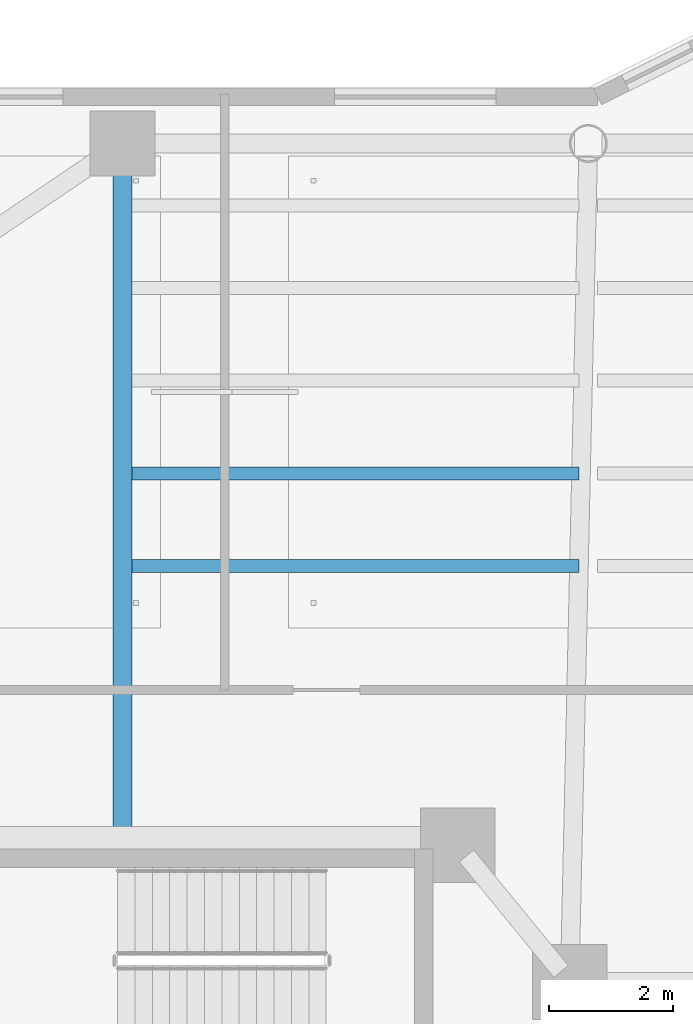
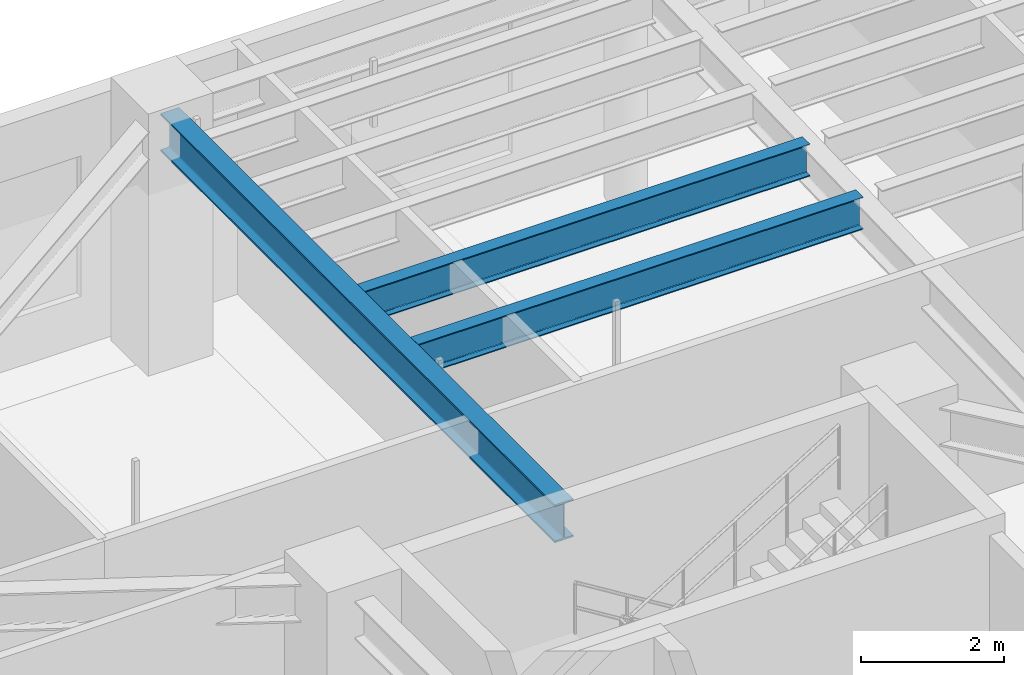
# One storey, part 20 of 37: 3 beams.
"""IFC4 building model written with IfcOpenShell, lengths in metres."""

from ifc_helpers import new_model, si_unit, direction, frame, origin, origin_2d, place, context, subcontext, project, spatial, i_section, extrude, material, material_profile, profile_set, type_object, element, save


model = new_model("IFC4")

# Units and contexts
model_context = context("Model", 3, precision=1e-05, world=origin(), true_north=direction((0.0, 1.0)))
body_context = subcontext(model_context, "Body", "Model", "MODEL_VIEW")
ifc_project = project(units=[si_unit("LENGTHUNIT", "METRE"), si_unit("AREAUNIT", "SQUARE_METRE"), si_unit("VOLUMEUNIT", "CUBIC_METRE"), si_unit("PLANEANGLEUNIT", "RADIAN"), si_unit("MASSUNIT", "GRAM", prefix="KILO")], contexts=[model_context])

# Site, building, storey
site_placement = place(None, origin())
site = spatial("IfcSite", under=ifc_project, at=site_placement, CompositionType="ELEMENT")
building_placement = place(site_placement, origin())
building = spatial("IfcBuilding", under=site, at=building_placement, Name="Tarnavaz Court Tower", CompositionType="ELEMENT")
storey_placement = place(building_placement, frame((0.0, 0.0, 118.5)))
storey = spatial("IfcBuildingStorey", under=building, at=storey_placement, Name="L32", CompositionType="ELEMENT", Elevation=118.5)

# Beams
ifc_material = material(Name="Steel S355", Category="steel")
ifc_material_profile_1 = material_profile(ifc_material, i_section(OverallWidth=0.300048828125, OverallDepth=0.64990234375, WebThickness=0.01611328125, FlangeThickness=0.031005859375, FilletRadius=0.027099609375, at=origin_2d()), Name="HEB 650")
ifc_profile_set_1 = profile_set([ifc_material_profile_1], Name="Steel S355")
beam_type_1 = type_object("IfcBeamType", Name="BM-G-HEB650", PredefinedType="USERDEFINED", material=ifc_profile_set_1)
beam_placement = place(storey_placement, frame((-15.0, 10.0400390625, 3.875), z_axis=(0.0, 1.0, 0.0), x_axis=(-1.0, 0.0, 0.0)))
element("IfcBeam", 1, at=beam_placement, inside=storey, type_object=beam_type_1, Name="L32 Beam RG-01", ObjectType="GIRDER", PredefinedType="USERDEFINED", context=body_context, shape_type="SweptSolid", body=[
    extrude(i_section(OverallWidth=0.300048828125, OverallDepth=0.64990234375, WebThickness=0.01611328125, FlangeThickness=0.031005859375, FilletRadius=0.027099609375, at=origin_2d()), origin(), (0.0, 0.0, 1.0), 11.0400390625),
])
ifc_material_profile_2 = material_profile(ifc_material, i_section(OverallWidth=0.2099609375, OverallDepth=0.550048828125, WebThickness=0.010986328125, FlangeThickness=0.01708984375, FilletRadius=0.02392578125, at=origin_2d()), Name="IPE 550")
ifc_profile_set_2 = profile_set([ifc_material_profile_2], Name="Steel S355")
beam_type_2 = type_object("IfcBeamType", Name="BM-J-IPE550", PredefinedType="JOIST", material=ifc_profile_set_2)
for number, where, z_axis, x_axis, name in (
    (2, (-14.85009765625, 14.493896484375, 3.925048828125), (1.0, 0.0, 0.0), (0.0, 1.0, 0.0), "L32 Beam JN1-1"),
    (3, (-14.85009765625, 15.988037109375, 3.925048828125), (1.0, 0.0, 0.0), (0.0, 1.0, 0.0), "L32 Beam JN2-1"),
):
    element("IfcBeam", number, at=place(storey_placement, frame(where, z_axis=z_axis, x_axis=x_axis)), inside=storey, type_object=beam_type_2, Name=name, PredefinedType="JOIST", context=body_context, shape_type="SweptSolid", body=[
        extrude(i_section(OverallWidth=0.2099609375, OverallDepth=0.550048828125, WebThickness=0.010986328125, FlangeThickness=0.01708984375, FilletRadius=0.02392578125, at=origin_2d()), origin(), (0.0, 0.0, 1.0), 7.2001953125),
    ])

save(model, "model.ifc")
